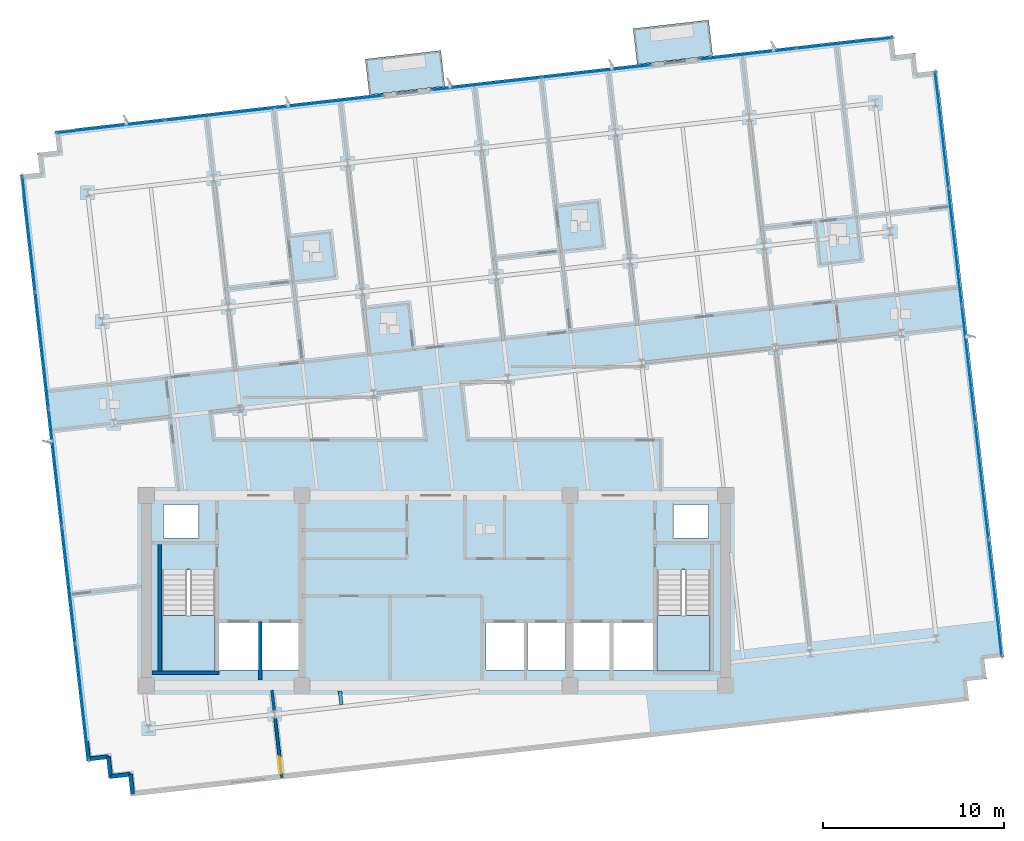
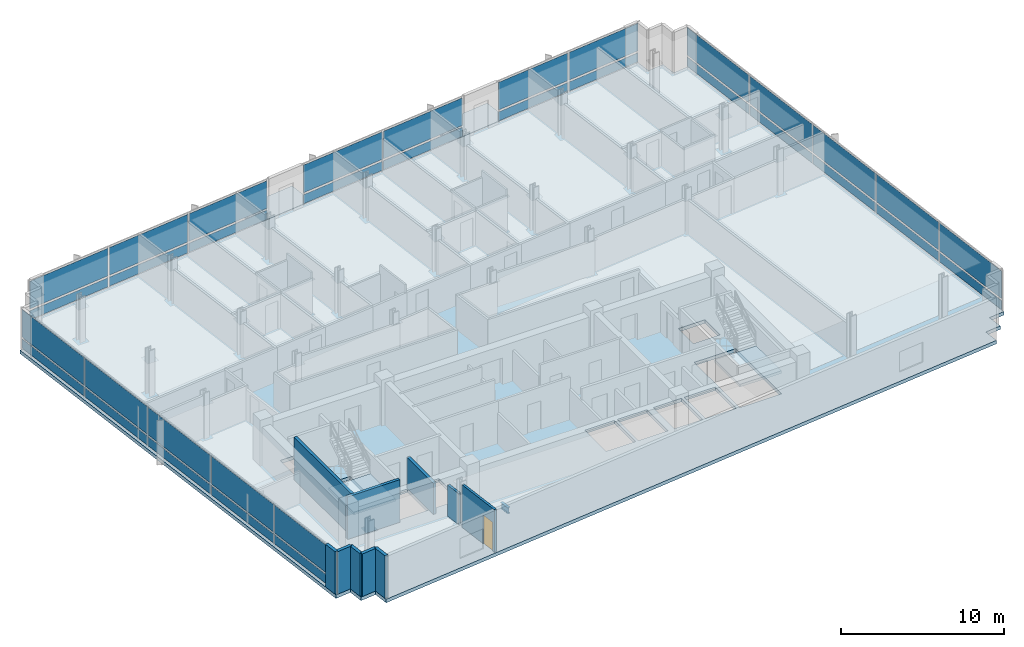
# One storey, part 7 of 16: 34 plates, 10 walls, 5 slabs, 1 beam, 1 door, 1 opening, 7 elements without a shape of their own.
"""IFC4 building model written with IfcOpenShell, lengths in metres."""

import ifcopenshell
import ifcopenshell.guid

model = None  # the IFC model being written
_history = None  # IfcOwnerHistory: only IFC2X3 demands one
_inside = {}  # id of a spatial element -> (the spatial element, [elements in it])
_under = {}  # id of a project, library or spatial element -> (it, [spatial elements below it])
_declared = {}  # id of a project -> (the project, [libraries it declares])
_typed = {}  # id of a type object -> (the type object, [elements of that type])
_made_of = {}  # id of a material, layer set ... -> (it, [elements and type objects made of it])


def new_model(schema):
    """Start an empty IFC model of exactly this schema.

    Asked for "IFC4X3", IfcOpenShell would pick the latest addendum, in which some entities
    have other attributes; the version numbers below select the first issue.
    IFC2X3 requires an IfcOwnerHistory on every rooted entity: one is made here for all.
    """
    global model, _history
    if schema == "IFC4X3":
        model = ifcopenshell.file(schema_version=(4, 3, 0, 0))
    else:
        model = ifcopenshell.file(schema=schema)
    _inside.clear()
    _under.clear()
    _declared.clear()
    _typed.clear()
    _made_of.clear()
    _history = None
    if model.schema == "IFC2X3":
        org = make("IfcOrganization", Name="unknown")
        user = make(
            "IfcPersonAndOrganization",
            ThePerson=make("IfcPerson", FamilyName="unknown"),
            TheOrganization=org,
        )
        app = make(
            "IfcApplication",
            ApplicationDeveloper=org,
            Version="unknown",
            ApplicationFullName="unknown",
            ApplicationIdentifier="unknown",
        )
        _history = make(
            "IfcOwnerHistory",
            OwningUser=user,
            OwningApplication=app,
            ChangeAction="ADDED",
            CreationDate=0,
        )
    return model


def make(cls, **values):
    """One entity of the class cls with the attributes given. An attribute that is None is left unset."""
    return model.create_entity(
        cls, **{name: value for name, value in values.items() if value is not None}
    )


def rooted(cls, **values):
    """An entity with a GlobalId (a new one), such as an element, a storey or a relation."""
    return make(cls, GlobalId=ifcopenshell.guid.new(), OwnerHistory=_history, **values)


def si_unit(unit_type, name, prefix=None):
    """IfcSIUnit, for example si_unit("LENGTHUNIT", "METRE", prefix="MILLI")."""
    return make("IfcSIUnit", UnitType=unit_type, Prefix=prefix, Name=name)


def assignment(units):
    """IfcUnitAssignment: the units of a project."""
    return None if units is None else make("IfcUnitAssignment", Units=units)


def point(xyz):
    """IfcCartesianPoint."""
    return None if xyz is None else make("IfcCartesianPoint", Coordinates=xyz)


def direction(xyz):
    """IfcDirection."""
    return None if xyz is None else make("IfcDirection", DirectionRatios=xyz)


def frame(location, z_axis=None, x_axis=None):
    """IfcAxis2Placement3D, a coordinate frame: its origin and axes. An axis left out is left unset."""
    return make(
        "IfcAxis2Placement3D",
        Location=point(location),
        Axis=direction(z_axis),
        RefDirection=direction(x_axis),
    )


def frame_2d(location, x_axis=None):
    """IfcAxis2Placement2D, a coordinate frame in the plane: its origin and x axis."""
    return make(
        "IfcAxis2Placement2D", Location=point(location), RefDirection=direction(x_axis)
    )


def origin():
    """The frame at (0, 0, 0) with its axes left unset."""
    return frame((0.0, 0.0, 0.0))


def origin_2d():
    """The frame at (0, 0) in the plane with its x axis left unset."""
    return frame_2d((0.0, 0.0))


def place(relative_to, where):
    """IfcLocalPlacement: puts the frame where relative to a parent placement (None: the world)."""
    return make(
        "IfcLocalPlacement", PlacementRelTo=relative_to, RelativePlacement=where
    )


def context(
    kind, dimensions, precision=None, world=None, true_north=None, identifier=None
):
    """IfcGeometricRepresentationContext, for example the 3D "Model" context."""
    return make(
        "IfcGeometricRepresentationContext",
        ContextIdentifier=identifier,
        ContextType=kind,
        CoordinateSpaceDimension=dimensions,
        Precision=precision,
        WorldCoordinateSystem=world,
        TrueNorth=true_north,
    )


def subcontext(parent, identifier, kind, view, scale=None):
    """IfcGeometricRepresentationSubContext, for example "Body" below "Model"."""
    return make(
        "IfcGeometricRepresentationSubContext",
        ContextIdentifier=identifier,
        ContextType=kind,
        ParentContext=parent,
        TargetScale=scale,
        TargetView=view,
    )


def project(units=None, contexts=None):
    """IfcProject with its units and contexts."""
    return rooted(
        "IfcProject",
        Name="project",
        RepresentationContexts=contexts,
        UnitsInContext=assignment(units),
    )


def spatial(cls, under=None, at=None, **own):
    """A site, building, storey or space (cls), placed at a placement, below another one or the project."""
    s = rooted(cls, ObjectPlacement=at, **own)
    if under is not None:
        _under.setdefault(under.id(), (under, []))[1].append(s)
    return s


def polyline(points):
    """IfcPolyline through the points."""
    return make("IfcPolyline", Points=[point(p) for p in points])


def profile(cls, at=None, kind="AREA", **sizes):
    """A parametric profile (cls). Its sizes go by their IFC names, for example OverallWidth=200.0."""
    return make(cls, ProfileType=kind, Position=at, **sizes)


def rectangle(**sizes):
    """IfcRectangleProfileDef."""
    return profile("IfcRectangleProfileDef", **sizes)


def i_section(**sizes):
    """IfcIShapeProfileDef."""
    return profile("IfcIShapeProfileDef", **sizes)


def outline(outer, holes=None, kind="AREA"):
    """IfcArbitraryClosedProfileDef: a profile drawn as a closed curve; with holes, ...WithVoids."""
    if holes is None:
        return make("IfcArbitraryClosedProfileDef", ProfileType=kind, OuterCurve=outer)
    return make(
        "IfcArbitraryProfileDefWithVoids",
        ProfileType=kind,
        OuterCurve=outer,
        InnerCurves=holes,
    )


def extrude(swept, where, along, depth):
    """IfcExtrudedAreaSolid: the profile swept, set in the frame where, extruded along a direction by depth."""
    return make(
        "IfcExtrudedAreaSolid",
        SweptArea=swept,
        Position=where,
        ExtrudedDirection=direction(along),
        Depth=depth,
    )


def shape(context_of_items, identifier, shape_type, items):
    """IfcShapeRepresentation: the items that make up one representation, for example the "Body"."""
    return make(
        "IfcShapeRepresentation",
        ContextOfItems=context_of_items,
        RepresentationIdentifier=identifier,
        RepresentationType=shape_type,
        Items=items,
    )


def material(Name=None, Category=None):
    """IfcMaterial."""
    return make("IfcMaterial", Name=Name, Category=Category)


def layer(
    of_material, thickness, ventilated=None, Name=None, Category=None, Priority=None
):
    """IfcMaterialLayer: one layer of a wall or slab, of a material (None: an air gap)."""
    return make(
        "IfcMaterialLayer",
        Material=of_material,
        LayerThickness=thickness,
        IsVentilated=ventilated,
        Name=Name,
        Category=Category,
        Priority=Priority,
    )


def layer_set(layers, Name=None):
    """IfcMaterialLayerSet."""
    return make("IfcMaterialLayerSet", MaterialLayers=layers, LayerSetName=Name)


def material_profile(
    of_material, cross_section, Name=None, Category=None, Priority=None
):
    """IfcMaterialProfile: a cross section and its material."""
    return make(
        "IfcMaterialProfile",
        Name=Name,
        Material=of_material,
        Profile=cross_section,
        Priority=Priority,
        Category=Category,
    )


def profile_set(profiles, Name=None, composite=None):
    """IfcMaterialProfileSet."""
    return make(
        "IfcMaterialProfileSet",
        Name=Name,
        MaterialProfiles=profiles,
        CompositeProfile=composite,
    )


def made_of(thing, what):
    """Note that an element or type object is made of a material, layer set ...; save() writes the relation."""
    if what is not None:
        _made_of.setdefault(what.id(), (what, []))[1].append(thing)
    return thing


def type_object(cls, material=None, **own):
    """A type object (cls), such as IfcWallType, which elements share."""
    return made_of(rooted(cls, **own), material)


def element(
    cls,
    number,
    at=None,
    inside=None,
    cuts=None,
    type_object=None,
    material=None,
    context=None,
    identifier="Body",
    shape_type=None,
    held_by="IfcProductDefinitionShape",
    body=None,
    shapes=None,
    **own,
):
    """One element of the class cls, such as IfcWall. Its Tag is "e" and its number.

    at: its placement. inside: the storey or other place that contains it. cuts: it is an
    opening in that element (IfcRelVoidsElement). A single representation is given by context,
    identifier, shape_type and body (its items); several are given by shapes. held_by: the class
    of the entity that holds the representations. save() writes the other relations.
    """
    e = rooted(cls, Tag="e%d" % number, ObjectPlacement=at, **own)
    if body is not None:
        shapes = [shape(context, identifier, shape_type, body)]
    if shapes is not None:
        e.Representation = make(held_by, Representations=shapes)
    if inside is not None:
        _inside.setdefault(inside.id(), (inside, []))[1].append(e)
    if cuts is not None:
        rooted(
            "IfcRelVoidsElement", RelatingBuildingElement=cuts, RelatedOpeningElement=e
        )
    if type_object is not None:
        _typed.setdefault(type_object.id(), (type_object, []))[1].append(e)
    return made_of(e, material)


def fill(opening, filler):
    """IfcRelFillsElement: the door or window that sits in an opening."""
    return rooted(
        "IfcRelFillsElement",
        RelatingOpeningElement=opening,
        RelatedBuildingElement=filler,
    )


def aggregate(whole, parts):
    """IfcRelAggregates: a whole, such as a stair, and the parts it consists of."""
    return rooted("IfcRelAggregates", RelatingObject=whole, RelatedObjects=parts)


def save(model, path):
    """Write the relations noted so far, then the file.

    IfcRelAggregates (storeys below a building ...), IfcRelContainedInSpatialStructure (elements
    in a storey), IfcRelDefinesByType, IfcRelAssociatesMaterial and IfcRelDeclares: one each for
    every whole, place, type object, material and project.
    """
    for whole, parts in _under.values():
        aggregate(whole, parts)
    for where, things in _inside.values():
        rooted(
            "IfcRelContainedInSpatialStructure",
            RelatedElements=things,
            RelatingStructure=where,
        )
    for kind, things in _typed.values():
        rooted("IfcRelDefinesByType", RelatedObjects=things, RelatingType=kind)
    for what, things in _made_of.values():
        rooted("IfcRelAssociatesMaterial", RelatedObjects=things, RelatingMaterial=what)
    for by, libraries in _declared.values():
        rooted("IfcRelDeclares", RelatingContext=by, RelatedDefinitions=libraries)
    model.write(path)


model = new_model("IFC4")

# Units and contexts
model_context = context("Model", 3, precision=1e-05, world=origin(), true_north=direction((0.0, 1.0)))
body_context = subcontext(model_context, "Body", "Model", "MODEL_VIEW")
ifc_project = project(units=[si_unit("LENGTHUNIT", "METRE"), si_unit("AREAUNIT", "SQUARE_METRE"), si_unit("VOLUMEUNIT", "CUBIC_METRE"), si_unit("PLANEANGLEUNIT", "RADIAN"), si_unit("MASSUNIT", "GRAM", prefix="KILO")], contexts=[model_context])

# Site, building, storey
site_placement = place(None, origin())
site = spatial("IfcSite", under=ifc_project, at=site_placement, CompositionType="ELEMENT")
building_placement = place(site_placement, origin())
building = spatial("IfcBuilding", under=site, at=building_placement, Name="Solmavex Isthmus Hotel", CompositionType="ELEMENT")
storey_placement = place(building_placement, frame((0.0, 0.0, 205.5)))
storey = spatial("IfcBuildingStorey", under=building, at=storey_placement, Name="L55", CompositionType="ELEMENT", Elevation=205.5)

# Beam
ifc_material_1 = material(Name="Steel ASTM A992 Grade 50", Category="steel")
ifc_material_profile = material_profile(ifc_material_1, i_section(OverallWidth=0.1904296875, OverallDepth=0.456787109375, WebThickness=0.009033203125, FlangeThickness=0.014404296875, FilletRadius=0.0126953125, at=origin_2d()), Name="W18X50")
ifc_profile_set = profile_set([ifc_material_profile], Name="Steel ASTM A992 Grade 50")
beam_type = type_object("IfcBeamType", Name="BM-BJ-W18X50", PredefinedType="JOIST", material=ifc_profile_set)
beam_placement = place(storey_placement, frame((-5.2236328125, -14.05419921875, -0.488525390625), z_axis=(-0.112902470797, 0.993606074905, 0.0), x_axis=(-0.993606074905, -0.112902470797, 0.0)))
element("IfcBeam", 1, at=beam_placement, inside=storey, type_object=beam_type, Name="Secondary Floor Joist L55-J05", PredefinedType="JOIST", context=body_context, shape_type="SweptSolid", body=[
    extrude(i_section(OverallWidth=0.1904296875, OverallDepth=0.456787109375, WebThickness=0.009033203125, FlangeThickness=0.014404296875, FilletRadius=0.0126953125, at=origin_2d()), origin(), (0.0, 0.0, 1.0), 0.759033203125),
])

# Curtain wall, plates
ifc_material_2 = material(Name="Aluminium alloy 6063-T6", Category="aluminium")
curtain_wall_type = type_object("IfcCurtainWallType", Name="CW-SYS-04", PredefinedType="NOTDEFINED", material=ifc_material_2)
curtain_wall_1_placement = place(storey_placement, origin())
curtain_wall_1 = element("IfcCurtainWall", 2, at=curtain_wall_1_placement, inside=storey, type_object=curtain_wall_type, Name="Stick Curtain Wall CWL-L55-N1", PredefinedType="NOTDEFINED")
ifc_material_3 = material(Name="Clear low-E laminated glass", Category="glass")
ifc_layer_1 = layer(ifc_material_3, 0.033935546875)
ifc_layer_set_1 = layer_set([ifc_layer_1], Name="Clear low-E laminated glass")
plate_type = type_object("IfcPlateType", Name="CW-SYS-04-PNL", PredefinedType="CURTAIN_PANEL", material=ifc_layer_set_1)
plate_1_placement = place(storey_placement, frame((-17.985595703125, 17.87109375, 0.14990234375), z_axis=(0.0, 0.0, 1.0), x_axis=(0.993571885329, 0.113202953513, 0.0)))
plate_1 = element("IfcPlate", 3, at=plate_1_placement, type_object=plate_type, Name="CW-04 panel 1.1", PredefinedType="CURTAIN_PANEL", context=body_context, shape_type="SweptSolid", body=[
    extrude(rectangle(XDim=5.979736328125, YDim=0.033935546875, at=origin_2d()), origin(), (0.0, 0.0, 1.0), 0.675048828125),
])
plate_2_placement = place(storey_placement, frame((-17.985595703125, 17.87109375, 0.97509765625), z_axis=(0.0, 0.0, 1.0), x_axis=(0.993571885329, 0.113202953513, 0.0)))
plate_2 = element("IfcPlate", 4, at=plate_2_placement, type_object=plate_type, Name="CW-04 panel 1.2", PredefinedType="CURTAIN_PANEL", context=body_context, shape_type="SweptSolid", body=[
    extrude(rectangle(XDim=5.979736328125, YDim=0.033935546875, at=origin_2d()), origin(), (0.0, 0.0, 1.0), 2.06494140625),
])
plate_3_placement = place(storey_placement, frame((-11.951171875, 18.558837890625, 0.14990234375), z_axis=(0.0, 0.0, 1.0), x_axis=(0.993571885329, 0.113202953513, 0.0)))
plate_3 = element("IfcPlate", 5, at=plate_3_placement, type_object=plate_type, Name="CW-04 panel 2.1", PredefinedType="CURTAIN_PANEL", context=body_context, shape_type="SweptSolid", body=[
    extrude(rectangle(XDim=6.017333984375, YDim=0.033935546875, at=origin_2d()), origin(), (0.0, 0.0, 1.0), 0.675048828125),
])
plate_4_placement = place(storey_placement, frame((-11.951171875, 18.558837890625, 0.97509765625), z_axis=(0.0, 0.0, 1.0), x_axis=(0.993571885329, 0.113202953513, 0.0)))
plate_4 = element("IfcPlate", 6, at=plate_4_placement, type_object=plate_type, Name="CW-04 panel 2.2", PredefinedType="CURTAIN_PANEL", context=body_context, shape_type="SweptSolid", body=[
    extrude(rectangle(XDim=6.017333984375, YDim=0.033935546875, at=origin_2d()), origin(), (0.0, 0.0, 1.0), 2.06494140625),
])
plate_5_placement = place(storey_placement, frame((-5.91650390625, 19.246337890625, 0.14990234375), z_axis=(0.0, 0.0, 1.0), x_axis=(0.993571885329, 0.113202953513, 0.0)))
plate_5 = element("IfcPlate", 7, at=plate_5_placement, type_object=plate_type, Name="CW-04 panel 3.1", PredefinedType="CURTAIN_PANEL", context=body_context, shape_type="SweptSolid", body=[
    extrude(rectangle(XDim=5.979736328125, YDim=0.033935546875, at=origin_2d()), origin(), (0.0, 0.0, 1.0), 0.675048828125),
])
plate_6_placement = place(storey_placement, frame((-5.91650390625, 19.246337890625, 0.97509765625), z_axis=(0.0, 0.0, 1.0), x_axis=(0.993571885329, 0.113202953513, 0.0)))
plate_6 = element("IfcPlate", 8, at=plate_6_placement, type_object=plate_type, Name="CW-04 panel 3.2", PredefinedType="CURTAIN_PANEL", context=body_context, shape_type="SweptSolid", body=[
    extrude(rectangle(XDim=5.979736328125, YDim=0.033935546875, at=origin_2d()), origin(), (0.0, 0.0, 1.0), 2.06494140625),
])
aggregate(curtain_wall_1, [plate_1, plate_2, plate_3, plate_4, plate_5, plate_6])

curtain_wall_2_placement = place(storey_placement, origin())
curtain_wall_2 = element("IfcCurtainWall", 9, at=curtain_wall_2_placement, inside=storey, type_object=curtain_wall_type, Name="Stick Curtain Wall CWL-L55-N2", PredefinedType="NOTDEFINED")
plate_7_placement = place(storey_placement, frame((2.78369140625, 20.237548828125, 0.14990234375), z_axis=(0.0, 0.0, 1.0), x_axis=(0.993571896348, 0.113202856801, 0.0)))
plate_7 = element("IfcPlate", 10, at=plate_7_placement, type_object=plate_type, Name="CW-04 panel 1.1", PredefinedType="CURTAIN_PANEL", context=body_context, shape_type="SweptSolid", body=[
    extrude(rectangle(XDim=6.033447265625, YDim=0.033935546875, at=origin_2d()), origin(), (0.0, 0.0, 1.0), 0.675048828125),
])
plate_8_placement = place(storey_placement, frame((2.78369140625, 20.237548828125, 0.97509765625), z_axis=(0.0, 0.0, 1.0), x_axis=(0.993571896348, 0.113202856801, 0.0)))
plate_8 = element("IfcPlate", 11, at=plate_8_placement, type_object=plate_type, Name="CW-04 panel 1.2", PredefinedType="CURTAIN_PANEL", context=body_context, shape_type="SweptSolid", body=[
    extrude(rectangle(XDim=6.033447265625, YDim=0.033935546875, at=origin_2d()), origin(), (0.0, 0.0, 1.0), 2.06494140625),
])
plate_9_placement = place(storey_placement, frame((8.85302734375, 20.928955078125, 0.14990234375), z_axis=(0.0, 0.0, 1.0), x_axis=(0.993571896348, 0.113202856801, 0.0)))
plate_9 = element("IfcPlate", 12, at=plate_9_placement, type_object=plate_type, Name="CW-04 panel 2.1", PredefinedType="CURTAIN_PANEL", context=body_context, shape_type="SweptSolid", body=[
    extrude(rectangle(XDim=6.033447265625, YDim=0.033935546875, at=origin_2d()), origin(), (0.0, 0.0, 1.0), 0.675048828125),
])
plate_10_placement = place(storey_placement, frame((8.85302734375, 20.928955078125, 0.97509765625), z_axis=(0.0, 0.0, 1.0), x_axis=(0.993571896348, 0.113202856801, 0.0)))
plate_10 = element("IfcPlate", 13, at=plate_10_placement, type_object=plate_type, Name="CW-04 panel 2.2", PredefinedType="CURTAIN_PANEL", context=body_context, shape_type="SweptSolid", body=[
    extrude(rectangle(XDim=6.033447265625, YDim=0.033935546875, at=origin_2d()), origin(), (0.0, 0.0, 1.0), 2.06494140625),
])
aggregate(curtain_wall_2, [plate_7, plate_8, plate_9, plate_10])

curtain_wall_3_placement = place(storey_placement, origin())
curtain_wall_3 = element("IfcCurtainWall", 14, at=curtain_wall_3_placement, inside=storey, type_object=curtain_wall_type, Name="Stick Curtain Wall CWL-L55-N3", PredefinedType="NOTDEFINED")
plate_11_placement = place(storey_placement, frame((17.217041015625, 21.882080078125, 0.14990234375), z_axis=(0.0, 0.0, 1.0), x_axis=(0.993571797279, 0.113203726319, 0.0)))
plate_11 = element("IfcPlate", 15, at=plate_11_placement, type_object=plate_type, Name="CW-04 panel 1.1", PredefinedType="CURTAIN_PANEL", context=body_context, shape_type="SweptSolid", body=[
    extrude(rectangle(XDim=5.302978515625, YDim=0.033935546875, at=origin_2d()), origin(), (0.0, 0.0, 1.0), 0.675048828125),
])
plate_12_placement = place(storey_placement, frame((17.217041015625, 21.882080078125, 0.97509765625), z_axis=(0.0, 0.0, 1.0), x_axis=(0.993571797279, 0.113203726319, 0.0)))
plate_12 = element("IfcPlate", 16, at=plate_12_placement, type_object=plate_type, Name="CW-04 panel 1.2", PredefinedType="CURTAIN_PANEL", context=body_context, shape_type="SweptSolid", body=[
    extrude(rectangle(XDim=5.302978515625, YDim=0.033935546875, at=origin_2d()), origin(), (0.0, 0.0, 1.0), 2.06494140625),
])
plate_13_placement = place(storey_placement, frame((22.560546875, 22.49072265625, 0.14990234375), z_axis=(0.0, 0.0, 1.0), x_axis=(0.993571797279, 0.113203726319, 0.0)))
plate_13 = element("IfcPlate", 17, at=plate_13_placement, type_object=plate_type, Name="CW-04 panel 2.1", PredefinedType="CURTAIN_PANEL", context=body_context, shape_type="SweptSolid", body=[
    extrude(rectangle(XDim=5.302978515625, YDim=0.033935546875, at=origin_2d()), origin(), (0.0, 0.0, 1.0), 0.675048828125),
])
plate_14_placement = place(storey_placement, frame((22.560546875, 22.49072265625, 0.97509765625), z_axis=(0.0, 0.0, 1.0), x_axis=(0.993571797279, 0.113203726319, 0.0)))
plate_14 = element("IfcPlate", 18, at=plate_14_placement, type_object=plate_type, Name="CW-04 panel 2.2", PredefinedType="CURTAIN_PANEL", context=body_context, shape_type="SweptSolid", body=[
    extrude(rectangle(XDim=5.302978515625, YDim=0.033935546875, at=origin_2d()), origin(), (0.0, 0.0, 1.0), 2.06494140625),
])
aggregate(curtain_wall_3, [plate_11, plate_12, plate_13, plate_14])

curtain_wall_4_placement = place(storey_placement, origin())
curtain_wall_4 = element("IfcCurtainWall", 19, at=curtain_wall_4_placement, inside=storey, type_object=curtain_wall_type, Name="Stick Curtain Wall CWL-L55-W1", PredefinedType="NOTDEFINED")
plate_15_placement = place(storey_placement, frame((-19.542724609375, -13.91064453125, 0.14990234375), z_axis=(0.0, 0.0, 1.0), x_axis=(-0.11320338078, 0.993571836648, 0.0)))
plate_15 = element("IfcPlate", 20, at=plate_15_placement, type_object=plate_type, Name="CW-04 panel 1.1", PredefinedType="CURTAIN_PANEL", context=body_context, shape_type="SweptSolid", body=[
    extrude(rectangle(XDim=6.407470703125, YDim=0.033935546875, at=origin_2d()), origin(), (0.0, 0.0, 1.0), 0.675048828125),
])
plate_16_placement = place(storey_placement, frame((-19.542724609375, -13.91064453125, 0.97509765625), z_axis=(0.0, 0.0, 1.0), x_axis=(-0.11320338078, 0.993571836648, 0.0)))
plate_16 = element("IfcPlate", 21, at=plate_16_placement, type_object=plate_type, Name="CW-04 panel 1.2", PredefinedType="CURTAIN_PANEL", context=body_context, shape_type="SweptSolid", body=[
    extrude(rectangle(XDim=6.407470703125, YDim=0.033935546875, at=origin_2d()), origin(), (0.0, 0.0, 1.0), 2.06494140625),
])
plate_17_placement = place(storey_placement, frame((-20.27880859375, -7.451171875, 0.14990234375), z_axis=(0.0, 0.0, 1.0), x_axis=(-0.11320338078, 0.993571836648, 0.0)))
plate_17 = element("IfcPlate", 22, at=plate_17_placement, type_object=plate_type, Name="CW-04 panel 2.1", PredefinedType="CURTAIN_PANEL", context=body_context, shape_type="SweptSolid", body=[
    extrude(rectangle(XDim=6.445068359375, YDim=0.033935546875, at=origin_2d()), origin(), (0.0, 0.0, 1.0), 0.675048828125),
])
plate_18_placement = place(storey_placement, frame((-20.27880859375, -7.451171875, 0.97509765625), z_axis=(0.0, 0.0, 1.0), x_axis=(-0.11320338078, 0.993571836648, 0.0)))
plate_18 = element("IfcPlate", 23, at=plate_18_placement, type_object=plate_type, Name="CW-04 panel 2.2", PredefinedType="CURTAIN_PANEL", context=body_context, shape_type="SweptSolid", body=[
    extrude(rectangle(XDim=6.445068359375, YDim=0.033935546875, at=origin_2d()), origin(), (0.0, 0.0, 1.0), 2.06494140625),
])
plate_19_placement = place(storey_placement, frame((-21.016845703125, -0.97314453125, 0.14990234375), z_axis=(0.0, 0.0, 1.0), x_axis=(-0.11320338078, 0.993571836648, 0.0)))
plate_19 = element("IfcPlate", 24, at=plate_19_placement, type_object=plate_type, Name="CW-04 panel 3.1", PredefinedType="CURTAIN_PANEL", context=body_context, shape_type="SweptSolid", body=[
    extrude(rectangle(XDim=6.445068359375, YDim=0.033935546875, at=origin_2d()), origin(), (0.0, 0.0, 1.0), 0.675048828125),
])
plate_20_placement = place(storey_placement, frame((-21.016845703125, -0.97314453125, 0.97509765625), z_axis=(0.0, 0.0, 1.0), x_axis=(-0.11320338078, 0.993571836648, 0.0)))
plate_20 = element("IfcPlate", 25, at=plate_20_placement, type_object=plate_type, Name="CW-04 panel 3.2", PredefinedType="CURTAIN_PANEL", context=body_context, shape_type="SweptSolid", body=[
    extrude(rectangle(XDim=6.445068359375, YDim=0.033935546875, at=origin_2d()), origin(), (0.0, 0.0, 1.0), 2.06494140625),
])
plate_21_placement = place(storey_placement, frame((-21.7548828125, 5.5048828125, 0.14990234375), z_axis=(0.0, 0.0, 1.0), x_axis=(-0.11320338078, 0.993571836648, 0.0)))
plate_21 = element("IfcPlate", 26, at=plate_21_placement, type_object=plate_type, Name="CW-04 panel 4.1", PredefinedType="CURTAIN_PANEL", context=body_context, shape_type="SweptSolid", body=[
    extrude(rectangle(XDim=6.445068359375, YDim=0.033935546875, at=origin_2d()), origin(), (0.0, 0.0, 1.0), 0.675048828125),
])
plate_22_placement = place(storey_placement, frame((-21.7548828125, 5.5048828125, 0.97509765625), z_axis=(0.0, 0.0, 1.0), x_axis=(-0.11320338078, 0.993571836648, 0.0)))
plate_22 = element("IfcPlate", 27, at=plate_22_placement, type_object=plate_type, Name="CW-04 panel 4.2", PredefinedType="CURTAIN_PANEL", context=body_context, shape_type="SweptSolid", body=[
    extrude(rectangle(XDim=6.445068359375, YDim=0.033935546875, at=origin_2d()), origin(), (0.0, 0.0, 1.0), 2.06494140625),
])
plate_23_placement = place(storey_placement, frame((-22.490966796875, 11.96435546875, 0.14990234375), z_axis=(0.0, 0.0, 1.0), x_axis=(-0.11320338078, 0.993571836648, 0.0)))
plate_23 = element("IfcPlate", 28, at=plate_23_placement, type_object=plate_type, Name="CW-04 panel 5.1", PredefinedType="CURTAIN_PANEL", context=body_context, shape_type="SweptSolid", body=[
    extrude(rectangle(XDim=6.407470703125, YDim=0.033935546875, at=origin_2d()), origin(), (0.0, 0.0, 1.0), 0.675048828125),
])
plate_24_placement = place(storey_placement, frame((-22.490966796875, 11.96435546875, 0.97509765625), z_axis=(0.0, 0.0, 1.0), x_axis=(-0.11320338078, 0.993571836648, 0.0)))
plate_24 = element("IfcPlate", 29, at=plate_24_placement, type_object=plate_type, Name="CW-04 panel 5.2", PredefinedType="CURTAIN_PANEL", context=body_context, shape_type="SweptSolid", body=[
    extrude(rectangle(XDim=6.407470703125, YDim=0.033935546875, at=origin_2d()), origin(), (0.0, 0.0, 1.0), 2.06494140625),
])
aggregate(curtain_wall_4, [plate_15, plate_16, plate_17, plate_18, plate_19, plate_20, plate_21, plate_22, plate_23, plate_24])

curtain_wall_5_placement = place(storey_placement, origin())
curtain_wall_5 = element("IfcCurtainWall", 30, at=curtain_wall_5_placement, inside=storey, type_object=curtain_wall_type, Name="Stick Curtain Wall CWL-L55-E1", PredefinedType="NOTDEFINED")
plate_25_placement = place(storey_placement, frame((30.890869140625, -8.16455078125, 0.14990234375), z_axis=(0.0, 0.0, 1.0), x_axis=(-0.11320338078, 0.993571836648, 0.0)))
plate_25 = element("IfcPlate", 31, at=plate_25_placement, type_object=plate_type, Name="CW-04 panel 1.1", PredefinedType="CURTAIN_PANEL", context=body_context, shape_type="SweptSolid", body=[
    extrude(rectangle(XDim=6.407470703125, YDim=0.033935546875, at=origin_2d()), origin(), (0.0, 0.0, 1.0), 0.675048828125),
])
plate_26_placement = place(storey_placement, frame((30.890869140625, -8.16455078125, 0.97509765625), z_axis=(0.0, 0.0, 1.0), x_axis=(-0.11320338078, 0.993571836648, 0.0)))
plate_26 = element("IfcPlate", 32, at=plate_26_placement, type_object=plate_type, Name="CW-04 panel 1.2", PredefinedType="CURTAIN_PANEL", context=body_context, shape_type="SweptSolid", body=[
    extrude(rectangle(XDim=6.407470703125, YDim=0.033935546875, at=origin_2d()), origin(), (0.0, 0.0, 1.0), 2.06494140625),
])
plate_27_placement = place(storey_placement, frame((30.155029296875, -1.705078125, 0.14990234375), z_axis=(0.0, 0.0, 1.0), x_axis=(-0.11320338078, 0.993571836648, 0.0)))
plate_27 = element("IfcPlate", 33, at=plate_27_placement, type_object=plate_type, Name="CW-04 panel 2.1", PredefinedType="CURTAIN_PANEL", context=body_context, shape_type="SweptSolid", body=[
    extrude(rectangle(XDim=6.445068359375, YDim=0.033935546875, at=origin_2d()), origin(), (0.0, 0.0, 1.0), 0.675048828125),
])
plate_28_placement = place(storey_placement, frame((30.155029296875, -1.705078125, 0.97509765625), z_axis=(0.0, 0.0, 1.0), x_axis=(-0.11320338078, 0.993571836648, 0.0)))
plate_28 = element("IfcPlate", 34, at=plate_28_placement, type_object=plate_type, Name="CW-04 panel 2.2", PredefinedType="CURTAIN_PANEL", context=body_context, shape_type="SweptSolid", body=[
    extrude(rectangle(XDim=6.445068359375, YDim=0.033935546875, at=origin_2d()), origin(), (0.0, 0.0, 1.0), 2.06494140625),
])
plate_29_placement = place(storey_placement, frame((29.416748046875, 4.773193359375, 0.14990234375), z_axis=(0.0, 0.0, 1.0), x_axis=(-0.11320338078, 0.993571836648, 0.0)))
plate_29 = element("IfcPlate", 35, at=plate_29_placement, type_object=plate_type, Name="CW-04 panel 3.1", PredefinedType="CURTAIN_PANEL", context=body_context, shape_type="SweptSolid", body=[
    extrude(rectangle(XDim=6.445068359375, YDim=0.033935546875, at=origin_2d()), origin(), (0.0, 0.0, 1.0), 0.675048828125),
])
plate_30_placement = place(storey_placement, frame((29.416748046875, 4.773193359375, 0.97509765625), z_axis=(0.0, 0.0, 1.0), x_axis=(-0.11320338078, 0.993571836648, 0.0)))
plate_30 = element("IfcPlate", 36, at=plate_30_placement, type_object=plate_type, Name="CW-04 panel 3.2", PredefinedType="CURTAIN_PANEL", context=body_context, shape_type="SweptSolid", body=[
    extrude(rectangle(XDim=6.445068359375, YDim=0.033935546875, at=origin_2d()), origin(), (0.0, 0.0, 1.0), 2.06494140625),
])
plate_31_placement = place(storey_placement, frame((28.6787109375, 11.251220703125, 0.14990234375), z_axis=(0.0, 0.0, 1.0), x_axis=(-0.11320338078, 0.993571836648, 0.0)))
plate_31 = element("IfcPlate", 37, at=plate_31_placement, type_object=plate_type, Name="CW-04 panel 4.1", PredefinedType="CURTAIN_PANEL", context=body_context, shape_type="SweptSolid", body=[
    extrude(rectangle(XDim=6.445068359375, YDim=0.033935546875, at=origin_2d()), origin(), (0.0, 0.0, 1.0), 0.675048828125),
])
plate_32_placement = place(storey_placement, frame((28.6787109375, 11.251220703125, 0.97509765625), z_axis=(0.0, 0.0, 1.0), x_axis=(-0.11320338078, 0.993571836648, 0.0)))
plate_32 = element("IfcPlate", 38, at=plate_32_placement, type_object=plate_type, Name="CW-04 panel 4.2", PredefinedType="CURTAIN_PANEL", context=body_context, shape_type="SweptSolid", body=[
    extrude(rectangle(XDim=6.445068359375, YDim=0.033935546875, at=origin_2d()), origin(), (0.0, 0.0, 1.0), 2.06494140625),
])
plate_33_placement = place(storey_placement, frame((27.94287109375, 17.710693359375, 0.14990234375), z_axis=(0.0, 0.0, 1.0), x_axis=(-0.11320338078, 0.993571836648, 0.0)))
plate_33 = element("IfcPlate", 39, at=plate_33_placement, type_object=plate_type, Name="CW-04 panel 5.1", PredefinedType="CURTAIN_PANEL", context=body_context, shape_type="SweptSolid", body=[
    extrude(rectangle(XDim=6.407470703125, YDim=0.033935546875, at=origin_2d()), origin(), (0.0, 0.0, 1.0), 0.675048828125),
])
plate_34_placement = place(storey_placement, frame((27.94287109375, 17.710693359375, 0.97509765625), z_axis=(0.0, 0.0, 1.0), x_axis=(-0.11320338078, 0.993571836648, 0.0)))
plate_34 = element("IfcPlate", 40, at=plate_34_placement, type_object=plate_type, Name="CW-04 panel 5.2", PredefinedType="CURTAIN_PANEL", context=body_context, shape_type="SweptSolid", body=[
    extrude(rectangle(XDim=6.407470703125, YDim=0.033935546875, at=origin_2d()), origin(), (0.0, 0.0, 1.0), 2.06494140625),
])
aggregate(curtain_wall_5, [plate_25, plate_26, plate_27, plate_28, plate_29, plate_30, plate_31, plate_32, plate_33, plate_34])

# Slabs
ifc_material_4 = material(Name="Concrete C40/50", Category="concrete")
ifc_layer_2 = layer(ifc_material_4, 0.239990234375)
ifc_layer_set_2 = layer_set([ifc_layer_2], Name="Concrete C40/50")
slab_type_1 = type_object("IfcSlabType", Name="SLAB-BALC-240", PredefinedType="FLOOR", material=ifc_layer_set_2)
slab_1_placement = place(storey_placement, frame((0.0, 0.0, -0.239990234375)))
element("IfcSlab", 41, at=slab_1_placement, inside=storey, type_object=slab_type_1, Name="Tree-Planter Balcony Slab L55-B1", PredefinedType="FLOOR", context=body_context, shape_type="SweptSolid", body=[
    extrude(outline(polyline([(-3.681640625, 19.63671875), (0.491455078125, 20.1123046875), (0.266845703125, 22.08447265625), (-3.90625, 21.609130859375), (-3.681640625, 19.63671875)])), origin(), (0.0, 0.0, 1.0), 0.239990234375),
])
slab_2_placement = place(storey_placement, frame((0.0, 0.0, -0.239990234375)))
element("IfcSlab", 42, at=slab_2_placement, inside=storey, type_object=slab_type_1, Name="Tree-Planter Balcony Slab L55-B2", PredefinedType="FLOOR", context=body_context, shape_type="SweptSolid", body=[
    extrude(outline(polyline([(11.11474609375, 21.322509765625), (15.287841796875, 21.798095703125), (15.06298828125, 23.770263671875), (10.89013671875, 23.294921875), (11.11474609375, 21.322509765625)])), origin(), (0.0, 0.0, 1.0), 0.239990234375),
])
ifc_layer_3 = layer(ifc_material_4, 0.260009765625)
ifc_layer_set_3 = layer_set([ifc_layer_3], Name="Concrete C40/50")
slab_type_2 = type_object("IfcSlabType", Name="SLAB-TYP-260", PredefinedType="FLOOR", material=ifc_layer_set_3)
slab_3_placement = place(storey_placement, frame((0.0, 0.0, -0.260009765625)))
element("IfcSlab", 43, at=slab_3_placement, inside=storey, type_object=slab_type_2, Name="Tower Structural Floor Slab L55", PredefinedType="FLOOR", context=body_context, shape_type="SweptSolid", body=[
    extrude(outline(polyline([(-15.762939453125, -18.994140625), (28.3515625, -13.968017578125), (29.444580078125, -13.843505859375), (29.320068359375, -12.75048828125), (30.412841796875, -12.6259765625), (30.288330078125, -11.532958984375), (31.38134765625, -11.408447265625), (31.2568359375, -10.315673828125), (27.8154296875, 19.888916015625), (27.69091796875, 20.98193359375), (26.597900390625, 20.857421875), (26.473388671875, 21.9501953125), (25.38037109375, 21.82568359375), (25.255859375, 22.918701171875), (24.1630859375, 22.794189453125), (-19.95166015625, 17.76806640625), (-21.04443359375, 17.6435546875), (-20.919921875, 16.550537109375), (-22.012939453125, 16.426025390625), (-21.888427734375, 15.3330078125), (-22.981201171875, 15.20849609375), (-22.856689453125, 14.11572265625), (-19.415283203125, -16.0888671875), (-19.290771484375, -17.181884765625), (-18.197998046875, -17.057373046875), (-18.073486328125, -18.150390625), (-16.98046875, -18.02587890625), (-16.85595703125, -19.11865234375), (-15.762939453125, -18.994140625)]), holes=[polyline([(-15.14990234375, -6.617919921875), (-15.14990234375, -12.199951171875), (-12.199951171875, -12.199951171875), (-12.199951171875, -6.617919921875), (-15.14990234375, -6.617919921875)]), polyline([(12.199951171875, -6.617919921875), (12.199951171875, -12.199951171875), (15.14990234375, -12.199951171875), (15.14990234375, -6.617919921875), (12.199951171875, -6.617919921875)]), polyline([(-12.0, -12.14990234375), (-9.800048828125, -12.14990234375), (-9.800048828125, -9.550048828125), (-12.0, -9.550048828125), (-12.0, -12.14990234375)]), polyline([(9.800048828125, -12.14990234375), (12.0, -12.14990234375), (12.0, -9.550048828125), (9.800048828125, -9.550048828125), (9.800048828125, -12.14990234375)]), polyline([(-9.60009765625, -12.14990234375), (-7.60009765625, -12.14990234375), (-7.60009765625, -9.550048828125), (-9.60009765625, -9.550048828125), (-9.60009765625, -12.14990234375)]), polyline([(7.60009765625, -12.14990234375), (9.60009765625, -12.14990234375), (9.60009765625, -9.550048828125), (7.60009765625, -9.550048828125), (7.60009765625, -12.14990234375)]), polyline([(2.75, -12.14990234375), (4.85009765625, -12.14990234375), (4.85009765625, -9.550048828125), (2.75, -9.550048828125), (2.75, -12.14990234375)]), polyline([(5.050048828125, -12.14990234375), (7.14990234375, -12.14990234375), (7.14990234375, -9.550048828125), (5.050048828125, -9.550048828125), (5.050048828125, -12.14990234375)]), polyline([(-15.050048828125, -4.85009765625), (-13.14990234375, -4.85009765625), (-13.14990234375, -3.0), (-15.050048828125, -3.0), (-15.050048828125, -4.85009765625)]), polyline([(13.14990234375, -4.85009765625), (15.050048828125, -4.85009765625), (15.050048828125, -3.0), (13.14990234375, -3.0), (13.14990234375, -4.85009765625)])]), origin(), (0.0, 0.0, 1.0), 0.260009765625),
])

# Stair, slab
stair_type_1 = type_object("IfcStairType", Name="STR-ST-1", PredefinedType="HALF_TURN_STAIR", material=ifc_material_4)
stair_1_placement = place(storey_placement, origin())
stair_1 = element("IfcStair", 44, at=stair_1_placement, inside=storey, type_object=stair_type_1, Name="L55 Protected Exit Stair ST-1", PredefinedType="HALF_TURN_STAIR")
ifc_layer_4 = layer(ifc_material_4, 0.219970703125)
ifc_layer_set_4 = layer_set([ifc_layer_4], Name="Concrete C40/50")
slab_type_3 = type_object("IfcSlabType", Name="SLD-ST-1", PredefinedType="LANDING", material=ifc_layer_set_4)
slab_4_placement = place(storey_placement, frame((0.0, 0.0, 1.52490234375)))
slab_4 = element("IfcSlab", 45, at=slab_4_placement, type_object=slab_type_3, Name="ST-1 landing 1", PredefinedType="LANDING", context=body_context, shape_type="SweptSolid", body=[
    extrude(outline(polyline([(-15.14990234375, -9.1201171875), (-15.14990234375, -12.199951171875), (-12.199951171875, -12.199951171875), (-12.199951171875, -9.1201171875), (-15.14990234375, -9.1201171875)])), origin(), (0.0, 0.0, 1.0), 0.2001953125),
])
aggregate(stair_1, [slab_4])

stair_type_2 = type_object("IfcStairType", Name="STR-ST-2", PredefinedType="HALF_TURN_STAIR", material=ifc_material_4)
stair_2_placement = place(storey_placement, origin())
stair_2 = element("IfcStair", 46, at=stair_2_placement, inside=storey, type_object=stair_type_2, Name="L55 Protected Exit Stair ST-2", PredefinedType="HALF_TURN_STAIR")
ifc_layer_5 = layer(ifc_material_4, 0.219970703125)
ifc_layer_set_5 = layer_set([ifc_layer_5], Name="Concrete C40/50")
slab_type_4 = type_object("IfcSlabType", Name="SLD-ST-2", PredefinedType="LANDING", material=ifc_layer_set_5)
slab_5_placement = place(storey_placement, frame((0.0, 0.0, 1.52490234375)))
slab_5 = element("IfcSlab", 47, at=slab_5_placement, type_object=slab_type_4, Name="ST-2 landing 1", PredefinedType="LANDING", context=body_context, shape_type="SweptSolid", body=[
    extrude(outline(polyline([(12.199951171875, -9.1201171875), (12.199951171875, -12.199951171875), (15.14990234375, -12.199951171875), (15.14990234375, -9.1201171875), (12.199951171875, -9.1201171875)])), origin(), (0.0, 0.0, 1.0), 0.2001953125),
])
aggregate(stair_2, [slab_5])

# Walls
ifc_material_5 = material(Name="Precast Concrete C40/50", Category="concrete")
ifc_layer_6 = layer(ifc_material_5, 0.25)
ifc_layer_set_6 = layer_set([ifc_layer_6], Name="Precast Concrete C40/50")
wall_type_1 = type_object("IfcWallType", Name="EW-TWR-250", PredefinedType="STANDARD", material=ifc_layer_set_6)
for number, where, z_axis, x_axis, name in (
    (48, (-16.759033203125, -18.9970703125, 0.0), (0.0, 0.0, 1.0), (-0.113183557839, 0.99357409499, 0.0), "Serrated Corner Facade Panel L55-01"),
    (49, (-16.883544921875, -17.904052734375, 0.0), (0.0, 0.0, 1.0), (-0.99357409499, -0.113183557839, 0.0), "Serrated Corner Facade Panel L55-02"),
    (50, (-17.9765625, -18.028564453125, 0.0), (0.0, 0.0, 1.0), (-0.113183557839, 0.99357409499, 0.0), "Serrated Corner Facade Panel L55-03"),
    (51, (-18.10107421875, -16.935546875, 0.0), (0.0, 0.0, 1.0), (-0.99357409499, -0.113183557839, 0.0), "Serrated Corner Facade Panel L55-04"),
):
    element("IfcWall", number, at=place(storey_placement, frame(where, z_axis=z_axis, x_axis=x_axis)), inside=storey, type_object=wall_type_1, Name=name, PredefinedType="STANDARD", context=body_context, shape_type="SweptSolid", body=[
        extrude(rectangle(XDim=1.10009765625, YDim=0.219970703125, at=frame_2d((0.550048828125, 0.0))), origin(), (0.0, 0.0, 1.0), 3.18994140625),
    ])
wall_1_placement = place(storey_placement, frame((-19.194091796875, -17.06005859375, 0.0), z_axis=(0.0, 0.0, 1.0), x_axis=(-0.113191877531, 0.993573147212, 0.0)))
element("IfcWall", 52, at=wall_1_placement, inside=storey, type_object=wall_type_1, Name="Serrated Corner Facade Panel L55-05", PredefinedType="STANDARD", context=body_context, shape_type="SweptSolid", body=[
    extrude(rectangle(XDim=0.989990234375, YDim=0.219970703125, at=frame_2d((0.4951171875, 0.0))), origin(), (0.0, 0.0, 1.0), 3.18994140625),
])
ifc_material_6 = material(Name="Gypsum plasterboard lining", Category="gypsum")
ifc_layer_7 = layer(ifc_material_6, 0.159912109375)
ifc_layer_set_7 = layer_set([ifc_layer_7], Name="Gypsum plasterboard lining")
wall_type_2 = type_object("IfcWallType", Name="IW-COMP-160", PredefinedType="PARTITIONING", material=ifc_layer_set_7)
wall_2_placement = place(storey_placement, frame((-9.06103515625, -13.26025390625, 0.0), z_axis=(0.0, 0.0, 1.0), x_axis=(0.113244385981, -0.993567163831, 0.0)))
element("IfcWall", 53, at=wall_2_placement, inside=storey, type_object=wall_type_2, Name="Interior Partition Wall W-L55-P071", PredefinedType="PARTITIONING", context=body_context, shape_type="SweptSolid", body=[
    extrude(rectangle(XDim=1.162109375, YDim=0.159912109375, at=frame_2d((0.5810546875, 0.0))), origin(), (0.0, 0.0, 1.0), 2.324951171875),
])

# Wall, opening, door
wall_3_placement = place(storey_placement, frame((-8.8896484375, -14.765380859375, 0.0), z_axis=(0.0, 0.0, 1.0), x_axis=(0.113252098743, -0.993566284719, 0.0)))
wall_3 = element("IfcWall", 54, at=wall_3_placement, inside=storey, type_object=wall_type_2, Name="Interior Partition Wall W-L55-P072", PredefinedType="PARTITIONING", context=body_context, shape_type="SweptSolid", body=[
    extrude(rectangle(XDim=3.343505859375, YDim=0.159912109375, at=frame_2d((1.671875, 0.0))), origin(), (0.0, 0.0, 1.0), 3.18994140625),
])
opening_placement = place(wall_3_placement, frame((2.18359375, 0.0, 0.0)))
opening = element("IfcOpeningElement", 55, at=opening_placement, cuts=wall_3, Name="Opening ID-C095", PredefinedType="OPENING", context=body_context, shape_type="SweptSolid", body=[
    extrude(rectangle(XDim=0.949951171875, YDim=2.14990234375, at=frame_2d((0.47509765625, 1.074951171875))), frame((0.0, 0.08984375, 0.0), z_axis=(0.0, -1.0, 0.0), x_axis=(1.0, 0.0, 0.0)), (0.0, 0.0, 1.0), 0.179931640625),
])
ifc_material_7 = material(Name="Hardwood timber", Category="wood")
door_type = type_object("IfcDoorType", Name="IDR-FD60-0950", OperationType="NOTDEFINED", PredefinedType="DOOR", material=ifc_material_7)
door_placement = place(opening_placement, frame((0.949951171875, 0.0, 0.0), z_axis=(0.0, 0.0, 1.0), x_axis=(-1.0, 0.0, 0.0)))
door = element("IfcDoor", 56, at=door_placement, inside=storey, type_object=door_type, Name="Corporate Briefing Office Door L55-22", OperationType="SINGLE_SWING_RIGHT", OverallHeight=2.14990234375, OverallWidth=0.949951171875, PredefinedType="DOOR", context=body_context, shape_type="SweptSolid", body=[
    extrude(rectangle(XDim=0.949951171875, YDim=2.14990234375, at=frame_2d((0.47509765625, 1.074951171875))), frame((0.0, 0.02490234375, 0.0), z_axis=(0.0, -1.0, 0.0), x_axis=(1.0, 0.0, 0.0)), (0.0, 0.0, 1.0), 0.050048828125),
])
fill(opening, door)

# Walls
ifc_layer_8 = layer(ifc_material_4, 0.199951171875)
ifc_layer_set_8 = layer_set([ifc_layer_8], Name="Concrete C40/50")
wall_type_3 = type_object("IfcWallType", Name="IW-SHAFT-200", PredefinedType="PARTITIONING", material=ifc_layer_set_8)
wall_4_placement = place(storey_placement, frame((-9.699951171875, -12.699951171875, 0.0), z_axis=(0.0, 0.0, 1.0), x_axis=(0.0, 1.0, 0.0)))
element("IfcWall", 57, at=wall_4_placement, inside=storey, type_object=wall_type_3, Name="Interior Partition Wall W-L55-FFLW-M", PredefinedType="PARTITIONING", context=body_context, shape_type="SweptSolid", body=[
    extrude(rectangle(XDim=3.25, YDim=0.199951171875, at=frame_2d((1.625, 0.0))), origin(), (0.0, 0.0, 1.0), 2.324951171875),
])
ifc_layer_9 = layer(ifc_material_4, 0.199951171875)
ifc_layer_set_9 = layer_set([ifc_layer_9], Name="Concrete C40/50")
wall_type_4 = type_object("IfcWallType", Name="WALL-SW-200", PredefinedType="SOLIDWALL", material=ifc_layer_set_9)
wall_5_placement = place(storey_placement, frame((-15.699951171875, -12.300048828125, 0.0), z_axis=(0.0, 0.0, 1.0), x_axis=(1.0, 0.0, 0.0)))
element("IfcWall", 58, at=wall_5_placement, inside=storey, type_object=wall_type_4, Name="Stairwell Structural Wall SW-L55-ST1-S", PredefinedType="SOLIDWALL", context=body_context, shape_type="SweptSolid", body=[
    extrude(rectangle(XDim=3.699951171875, YDim=0.199951171875, at=frame_2d((1.85009765625, 0.0))), origin(), (0.0, 0.0, 1.0), 3.18994140625),
])
wall_6_placement = place(storey_placement, frame((-15.25, -12.199951171875, 0.0), z_axis=(0.0, 0.0, 1.0), x_axis=(0.0, 1.0, 0.0)))
element("IfcWall", 59, at=wall_6_placement, inside=storey, type_object=wall_type_4, Name="Stairwell Structural Wall SW-L55-ST1-W", PredefinedType="SOLIDWALL", context=body_context, shape_type="SweptSolid", body=[
    extrude(rectangle(XDim=7.0, YDim=0.199951171875, at=frame_2d((3.5, 0.0))), origin(), (0.0, 0.0, 1.0), 3.18994140625),
])

save(model, "model.ifc")
